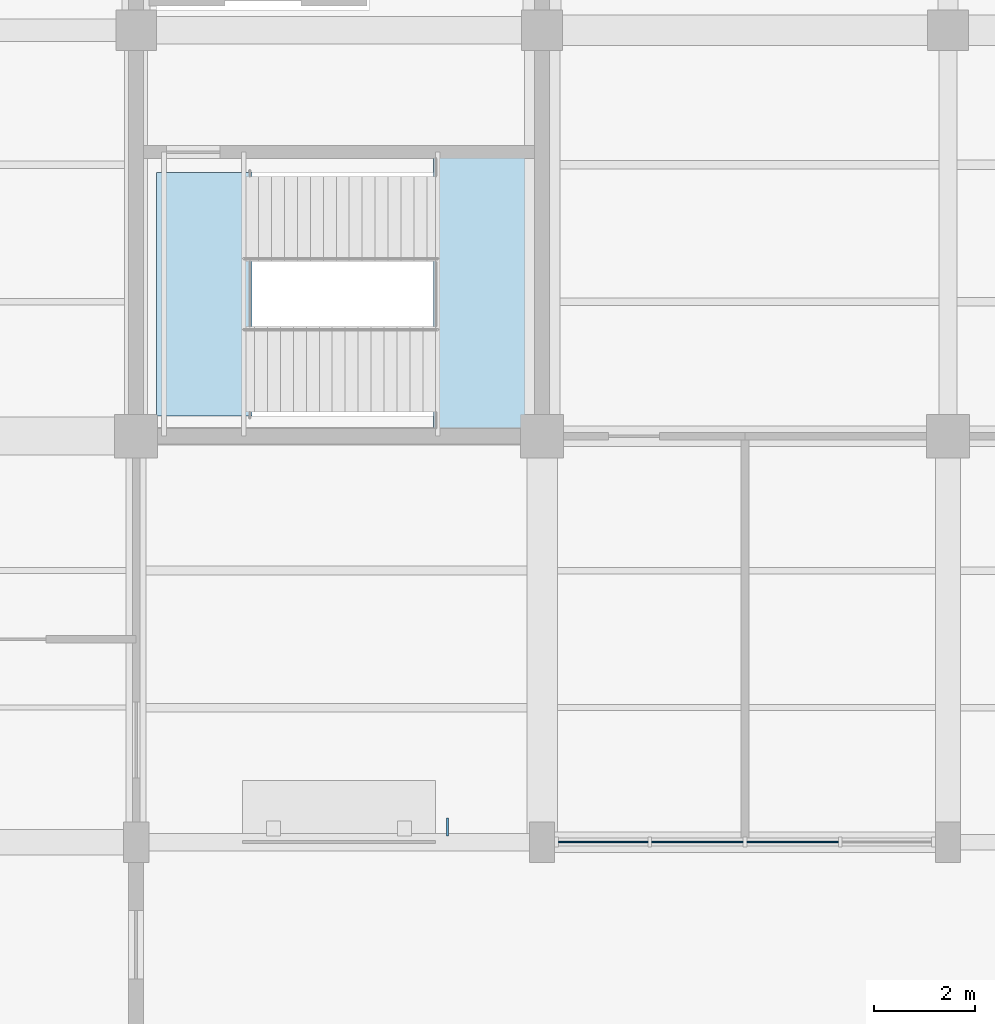
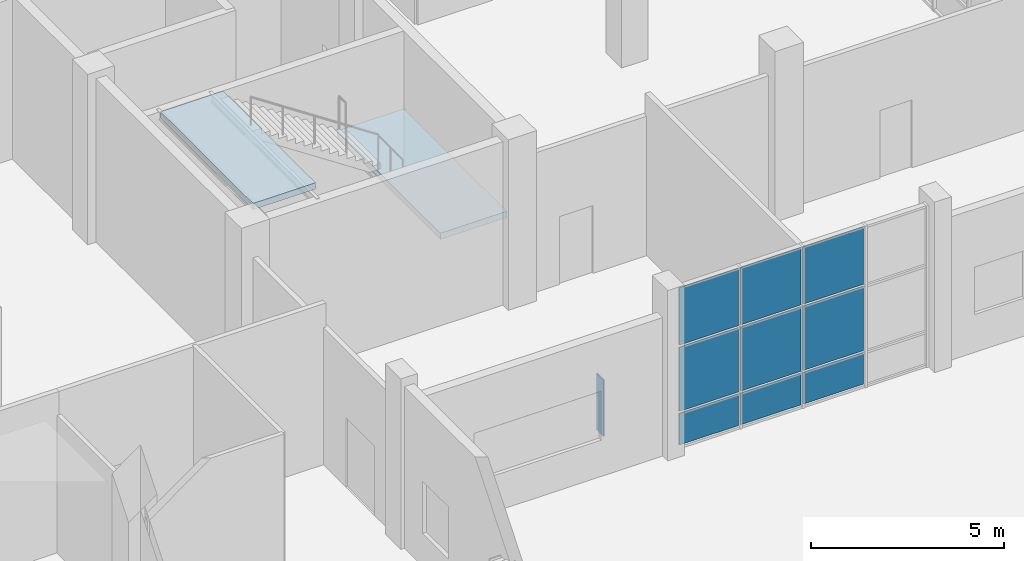
# One storey, part 78 of 123: 10 plates, 2 slabs, 2 elements without a shape of their own.
"""IFC4 building model written with IfcOpenShell, lengths in metres."""

from ifc_helpers import new_model, si_unit, direction, frame, origin, origin_2d, place, context, subcontext, project, spatial, polyline, rectangle, outline, extrude, material, layer, layer_set, type_object, element, aggregate, save


model = new_model("IFC4")

# Units and contexts
model_context = context("Model", 3, precision=1e-05, world=origin(), true_north=direction((0.0, 1.0)))
body_context = subcontext(model_context, "Body", "Model", "MODEL_VIEW")
ifc_project = project(units=[si_unit("LENGTHUNIT", "METRE"), si_unit("AREAUNIT", "SQUARE_METRE"), si_unit("VOLUMEUNIT", "CUBIC_METRE"), si_unit("PLANEANGLEUNIT", "RADIAN"), si_unit("MASSUNIT", "GRAM", prefix="KILO")], contexts=[model_context])

# Site, building, storey
site_placement = place(None, origin())
site = spatial("IfcSite", under=ifc_project, at=site_placement, CompositionType="ELEMENT")
building_placement = place(site_placement, origin())
building = spatial("IfcBuilding", under=site, at=building_placement, Name="Tenunan Teduh Sports Hall", CompositionType="ELEMENT")
storey_placement = place(building_placement, origin())
storey = spatial("IfcBuildingStorey", under=building, at=storey_placement, Name="L00", CompositionType="ELEMENT", Elevation=0.0)

# Curtain wall, plates
ifc_material_1 = material(Name="Anodised aluminium", Category="aluminium")
curtain_wall_type = type_object("IfcCurtainWallType", Name="CW-UNIT-1", PredefinedType="NOTDEFINED", material=ifc_material_1)
curtain_wall_placement = place(storey_placement, origin())
curtain_wall = element("IfcCurtainWall", 1, at=curtain_wall_placement, inside=storey, type_object=curtain_wall_type, Name="CW-CWM-200-L00-192", PredefinedType="NOTDEFINED")
ifc_material_2 = material(Name="Low-E laminated double glazing", Category="glass")
ifc_layer_1 = layer(ifc_material_2, 0.028076171875)
ifc_layer_set_1 = layer_set([ifc_layer_1], Name="Low-E laminated double glazing")
plate_type_1 = type_object("IfcPlateType", Name="CWP-GLZ-28", PredefinedType="CURTAIN_PANEL", material=ifc_layer_set_1)
plate_1_placement = place(storey_placement, frame((63.205078125, 86.0, 1.134765625), z_axis=(0.0, 0.0, 1.0), x_axis=(1.0, 0.0, 0.0)))
plate_1 = element("IfcPlate", 2, at=plate_1_placement, type_object=plate_type_1, Name="CW-01 panel 1.2", PredefinedType="CURTAIN_PANEL", context=body_context, shape_type="SweptSolid", body=[
    extrude(rectangle(XDim=1.77001953125, YDim=0.028076171875, at=origin_2d()), origin(), (0.0, 0.0, 1.0), 2.030029296875),
])
plate_2_placement = place(storey_placement, frame((63.205078125, 86.0, 3.235107421875), z_axis=(0.0, 0.0, 1.0), x_axis=(1.0, 0.0, 0.0)))
plate_2 = element("IfcPlate", 3, at=plate_2_placement, type_object=plate_type_1, Name="CW-01 panel 1.3", PredefinedType="CURTAIN_PANEL", context=body_context, shape_type="SweptSolid", body=[
    extrude(rectangle(XDim=1.77001953125, YDim=0.028076171875, at=origin_2d()), origin(), (0.0, 0.0, 1.0), 1.81494140625),
])
plate_3_placement = place(storey_placement, frame((65.0625, 86.0, 1.134765625), z_axis=(0.0, 0.0, 1.0), x_axis=(1.0, 0.0, 0.0)))
plate_3 = element("IfcPlate", 4, at=plate_3_placement, type_object=plate_type_1, Name="CW-01 panel 2.2", PredefinedType="CURTAIN_PANEL", context=body_context, shape_type="SweptSolid", body=[
    extrude(rectangle(XDim=1.804931640625, YDim=0.028076171875, at=origin_2d()), origin(), (0.0, 0.0, 1.0), 2.030029296875),
])
plate_4_placement = place(storey_placement, frame((65.0625, 86.0, 3.235107421875), z_axis=(0.0, 0.0, 1.0), x_axis=(1.0, 0.0, 0.0)))
plate_4 = element("IfcPlate", 5, at=plate_4_placement, type_object=plate_type_1, Name="CW-01 panel 2.3", PredefinedType="CURTAIN_PANEL", context=body_context, shape_type="SweptSolid", body=[
    extrude(rectangle(XDim=1.804931640625, YDim=0.028076171875, at=origin_2d()), origin(), (0.0, 0.0, 1.0), 1.81494140625),
])
plate_5_placement = place(storey_placement, frame((66.9375, 86.0, 1.134765625), z_axis=(0.0, 0.0, 1.0), x_axis=(1.0, 0.0, 0.0)))
plate_5 = element("IfcPlate", 6, at=plate_5_placement, type_object=plate_type_1, Name="CW-01 panel 3.2", PredefinedType="CURTAIN_PANEL", context=body_context, shape_type="SweptSolid", body=[
    extrude(rectangle(XDim=1.804931640625, YDim=0.028076171875, at=origin_2d()), origin(), (0.0, 0.0, 1.0), 2.030029296875),
])
plate_6_placement = place(storey_placement, frame((66.9375, 86.0, 3.235107421875), z_axis=(0.0, 0.0, 1.0), x_axis=(1.0, 0.0, 0.0)))
plate_6 = element("IfcPlate", 7, at=plate_6_placement, type_object=plate_type_1, Name="CW-01 panel 3.3", PredefinedType="CURTAIN_PANEL", context=body_context, shape_type="SweptSolid", body=[
    extrude(rectangle(XDim=1.804931640625, YDim=0.028076171875, at=origin_2d()), origin(), (0.0, 0.0, 1.0), 1.81494140625),
])
ifc_material_3 = material(Name="Insulated aluminium spandrel panel", Category="aluminium")
ifc_layer_2 = layer(ifc_material_3, 0.044921875)
ifc_layer_set_2 = layer_set([ifc_layer_2], Name="Insulated aluminium spandrel panel")
plate_type_2 = type_object("IfcPlateType", Name="CWP-SPN-45", PredefinedType="CURTAIN_PANEL", material=ifc_layer_set_2)
plate_7_placement = place(storey_placement, frame((63.205078125, 86.0, 0.06982421875), z_axis=(0.0, 0.0, 1.0), x_axis=(1.0, 0.0, 0.0)))
plate_7 = element("IfcPlate", 8, at=plate_7_placement, type_object=plate_type_2, Name="CW-01 panel 1.1", PredefinedType="CURTAIN_PANEL", context=body_context, shape_type="SweptSolid", body=[
    extrude(rectangle(XDim=1.77001953125, YDim=0.028076171875, at=origin_2d()), origin(), (0.0, 0.0, 1.0), 0.9951171875),
])
plate_8_placement = place(storey_placement, frame((65.0625, 86.0, 0.06982421875), z_axis=(0.0, 0.0, 1.0), x_axis=(1.0, 0.0, 0.0)))
plate_8 = element("IfcPlate", 9, at=plate_8_placement, type_object=plate_type_2, Name="CW-01 panel 2.1", PredefinedType="CURTAIN_PANEL", context=body_context, shape_type="SweptSolid", body=[
    extrude(rectangle(XDim=1.804931640625, YDim=0.028076171875, at=origin_2d()), origin(), (0.0, 0.0, 1.0), 0.9951171875),
])
plate_9_placement = place(storey_placement, frame((66.9375, 86.0, 0.06982421875), z_axis=(0.0, 0.0, 1.0), x_axis=(1.0, 0.0, 0.0)))
plate_9 = element("IfcPlate", 10, at=plate_9_placement, type_object=plate_type_2, Name="CW-01 panel 3.1", PredefinedType="CURTAIN_PANEL", context=body_context, shape_type="SweptSolid", body=[
    extrude(rectangle(XDim=1.804931640625, YDim=0.028076171875, at=origin_2d()), origin(), (0.0, 0.0, 1.0), 0.9951171875),
])
aggregate(curtain_wall, [plate_7, plate_1, plate_2, plate_8, plate_3, plate_4, plate_9, plate_5, plate_6])

# Plate
ifc_material_4 = material(Name="Anodised aluminium", Category="aluminium")
ifc_layer_3 = layer(ifc_material_4, 1.89990234375)
ifc_layer_set_3 = layer_set([ifc_layer_3], Name="Anodised aluminium")
plate_type_3 = type_object("IfcPlateType", Name="PLT-FIN-1", PredefinedType="SHEET", material=ifc_layer_set_3)
plate_10_placement = place(storey_placement, frame((60.139892578125, 86.300048828125, 1.030029296875), z_axis=(0.0, 0.0, 1.0), x_axis=(1.0, 0.0, 0.0)))
element("IfcPlate", 11, at=plate_10_placement, inside=storey, type_object=plate_type_3, Name="PLT-FIN-L00-014", PredefinedType="SHEET", context=body_context, shape_type="SweptSolid", body=[
    extrude(rectangle(XDim=0.0400390625, YDim=0.360107421875, at=origin_2d()), origin(), (0.0, 0.0, 1.0), 1.7900390625),
])

# Stair, slabs
ifc_material_5 = material(Name="Precast concrete C40/50", Category="concrete")
stair_type = type_object("IfcStairType", Name="STR-CORE-42", PredefinedType="HALF_TURN_STAIR", material=ifc_material_5)
stair_placement = place(storey_placement, origin())
stair = element("IfcStair", 12, at=stair_placement, inside=storey, type_object=stair_type, Name="STR-W3-L00", PredefinedType="HALF_TURN_STAIR")
ifc_material_6 = material(Name="Precast concrete C40/50", Category="concrete")
ifc_layer_4 = layer(ifc_material_6, 0.199951171875)
ifc_layer_set_4 = layer_set([ifc_layer_4], Name="Precast concrete C40/50")
slab_type = type_object("IfcSlabType", Name="SLB-LND-200", PredefinedType="LANDING", material=ifc_layer_set_4)
slab_1_placement = place(storey_placement, frame((0.0, 0.0, 2.5)))
slab_1 = element("IfcSlab", 13, at=slab_1_placement, type_object=slab_type, Name="ST-12 landing 1", PredefinedType="LANDING", context=body_context, shape_type="SweptSolid", body=[
    extrude(outline(polyline([(59.864990234375, 94.139892578125), (61.860107421875, 94.139892578125), (61.860107421875, 99.5), (59.864990234375, 99.5), (59.864990234375, 94.139892578125)])), origin(), (0.0, 0.0, 1.0), 0.199951171875),
])
slab_2_placement = place(storey_placement, frame((0.0, 0.0, 5.199951171875)))
slab_2 = element("IfcSlab", 14, at=slab_2_placement, type_object=slab_type, Name="ST-12 landing 2", PredefinedType="LANDING", context=body_context, shape_type="SweptSolid", body=[
    extrude(outline(polyline([(54.39990234375, 94.39990234375), (56.280029296875, 94.39990234375), (56.280029296875, 99.199951171875), (54.39990234375, 99.199951171875), (54.39990234375, 94.39990234375)])), origin(), (0.0, 0.0, 1.0), 0.199951171875),
])
aggregate(stair, [slab_1, slab_2])

save(model, "model.ifc")
